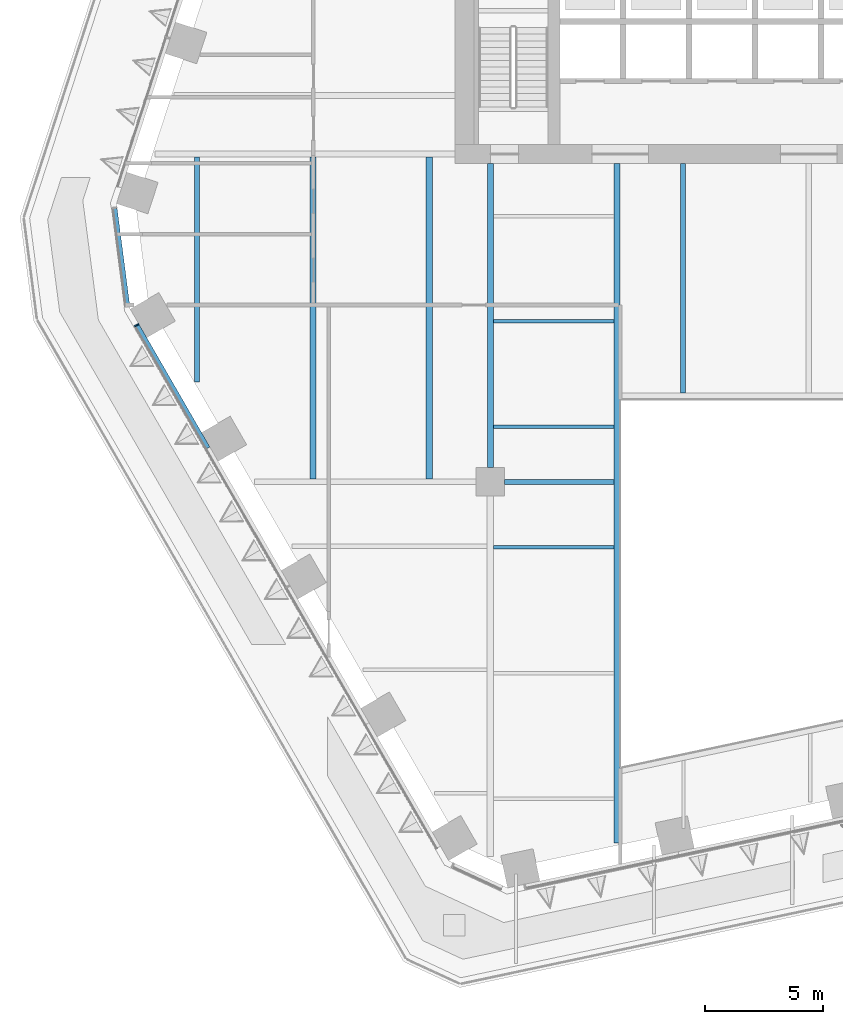
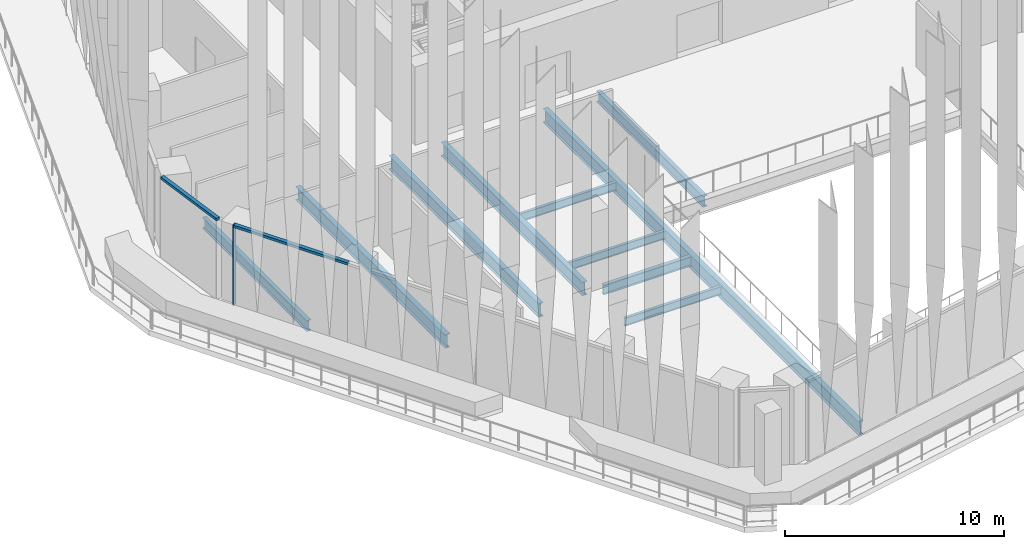
# One storey, part 3 of 27: 10 beams, 3 members, 2 elements without a shape of their own.
"""IFC4 building model written with IfcOpenShell, lengths in metres."""

from ifc_helpers import new_model, si_unit, direction, frame, origin, origin_2d, place, context, subcontext, project, spatial, rectangle, i_section, extrude, material, layer, layer_set, material_profile, profile_set, type_object, element, aggregate, save


model = new_model("IFC4")

# Units and contexts
model_context = context("Model", 3, precision=1e-05, world=origin(), true_north=direction((0.0, 1.0)))
body_context = subcontext(model_context, "Body", "Model", "MODEL_VIEW")
ifc_project = project(units=[si_unit("LENGTHUNIT", "METRE"), si_unit("AREAUNIT", "SQUARE_METRE"), si_unit("VOLUMEUNIT", "CUBIC_METRE"), si_unit("PLANEANGLEUNIT", "RADIAN"), si_unit("MASSUNIT", "GRAM", prefix="KILO")], contexts=[model_context])

# Site, building, storey
site_placement = place(None, origin())
site = spatial("IfcSite", under=ifc_project, at=site_placement, CompositionType="ELEMENT")
building_placement = place(site_placement, origin())
building = spatial("IfcBuilding", under=site, at=building_placement, Name="Isthmus Gate Tower", CompositionType="ELEMENT")
storey_placement = place(building_placement, frame((0.0, 0.0, 121.64990234375)))
storey = spatial("IfcBuildingStorey", under=building, at=storey_placement, Name="L29", CompositionType="ELEMENT", Elevation=121.64990234375)

# Curtain wall, member
ifc_material_1 = material(Name="Aluminium, pale champagne anodised", Category="aluminium")
ifc_layer = layer(ifc_material_1, 0.199951171875)
ifc_layer_set = layer_set([ifc_layer], Name="CW-1 UNITISED CURTAIN WALL 200 DEEP")
curtain_wall_type = type_object("IfcCurtainWallType", Name="CW-1 UNITISED CURTAIN WALL 200 DEEP", PredefinedType="NOTDEFINED", material=ifc_layer_set)
curtain_wall_1_placement = place(storey_placement, origin())
curtain_wall_1 = element("IfcCurtainWall", 1, at=curtain_wall_1_placement, inside=storey, type_object=curtain_wall_type, Name="CW-1 SW L29", PredefinedType="NOTDEFINED")
ifc_material_2 = material(Name="Aluminium, pale champagne anodised", Category="aluminium")
ifc_material_profile_1 = material_profile(ifc_material_2, rectangle(XDim=0.06005859375, YDim=0.199951171875, at=origin_2d()), Name="60x200")
ifc_profile_set_1 = profile_set([ifc_material_profile_1], Name="Aluminium, pale champagne anodised")
member_type_1 = type_object("IfcMemberType", Name="CW-1 MULLION 60 X 200", PredefinedType="MULLION", material=ifc_profile_set_1)
member_1_placement = place(storey_placement, frame((-28.489501953125, -6.8544921875, 0.0), z_axis=(0.0, 0.0, 1.0), x_axis=(0.5, -0.866025403784, 0.0)))
member_1 = element("IfcMember", 2, at=member_1_placement, type_object=member_type_1, Name="CW-1 mullion", PredefinedType="MULLION", context=body_context, shape_type="SweptSolid", body=[
    extrude(rectangle(XDim=0.06005859375, YDim=0.199951171875, at=origin_2d()), origin(), (0.0, 0.0, 1.0), 4.5),
])

curtain_wall_2_placement = place(storey_placement, origin())
curtain_wall_2 = element("IfcCurtainWall", 3, at=curtain_wall_2_placement, inside=storey, type_object=curtain_wall_type, Name="CW-1 NW-SW L29", PredefinedType="NOTDEFINED")
ifc_material_3 = material(Name="Aluminium, pale champagne anodised", Category="aluminium")
ifc_material_profile_2 = material_profile(ifc_material_3, rectangle(XDim=0.199951171875, YDim=0.139892578125, at=origin_2d()), Name="200x140")
ifc_profile_set_2 = profile_set([ifc_material_profile_2], Name="Aluminium, pale champagne anodised")
member_type_2 = type_object("IfcMemberType", Name="CW-1 TRANSOM 200 X 140", PredefinedType="USERDEFINED", material=ifc_profile_set_2)
member_2_placement = place(storey_placement, frame((-29.42333984375, -1.9150390625, 4.43017578125), z_axis=(0.129149481977, -0.991625136483, 0.0), x_axis=(0.991625136483, 0.129149481977, 0.0)))
member_2 = element("IfcMember", 4, at=member_2_placement, type_object=member_type_2, Name="CW-1 transom", ObjectType="TRANSOM", PredefinedType="USERDEFINED", context=body_context, shape_type="SweptSolid", body=[
    extrude(rectangle(XDim=0.199951171875, YDim=0.139892578125, at=origin_2d()), origin(), (0.0, 0.0, 1.0), 4.181396484375),
])
aggregate(curtain_wall_2, [member_2])

# Member
member_3_placement = place(storey_placement, frame((-28.474609375, -6.880615234375, 4.43017578125), z_axis=(0.500014106551, -0.86601725921, 0.0), x_axis=(0.86601725921, 0.500014106551, 0.0)))
member_3 = element("IfcMember", 5, at=member_3_placement, type_object=member_type_2, Name="CW-1 transom", ObjectType="TRANSOM", PredefinedType="USERDEFINED", context=body_context, shape_type="SweptSolid", body=[
    extrude(rectangle(XDim=0.199951171875, YDim=0.139892578125, at=origin_2d()), origin(), (0.0, 0.0, 1.0), 5.989990234375),
])

aggregate(curtain_wall_1, [member_1, member_3])

# Beams
ifc_material_4 = material(Name="Structural steel ASTM A992 Gr 50", Category="steel")
ifc_material_profile_3 = material_profile(ifc_material_4, i_section(OverallWidth=0.15234375, OverallDepth=0.45068359375, WebThickness=0.0078125, FlangeThickness=0.010986328125, at=origin_2d()), Name="W18X35")
ifc_profile_set_3 = profile_set([ifc_material_profile_3], Name="Structural steel ASTM A992 Gr 50")
beam_type_1 = type_object("IfcBeamType", Name="STEEL FLOOR BEAM W18X35", PredefinedType="JOIST", material=ifc_profile_set_3)
beam_1_placement = place(storey_placement, frame((-13.36669921875, -16.27197265625, -0.525390625), z_axis=(1.0, 0.0, 0.0), x_axis=(0.0, 1.0, 0.0)))
element("IfcBeam", 6, at=beam_1_placement, inside=storey, type_object=beam_type_1, Name="str-beam-L29-03-02", PredefinedType="JOIST", context=body_context, shape_type="SweptSolid", body=[
    extrude(i_section(OverallWidth=0.15234375, OverallDepth=0.45068359375, WebThickness=0.0078125, FlangeThickness=0.010986328125, at=origin_2d()), origin(), (0.0, 0.0, 1.0), 5.10009765625),
])
for number, where, z_axis, x_axis, name in (
    (7, (-13.3681640625, -11.16259765625, -0.525390625), (1.0, 0.0, 0.0), (0.0, 1.0, 0.0), "str-beam-L29-04-00"),
    (8, (-13.3681640625, -6.697509765625, -0.525390625), (1.0, 0.0, 0.0), (0.0, 1.0, 0.0), "str-beam-L29-04-01"),
):
    element("IfcBeam", number, at=place(storey_placement, frame(where, z_axis=z_axis, x_axis=x_axis)), inside=storey, type_object=beam_type_1, Name=name, PredefinedType="JOIST", context=body_context, shape_type="SweptSolid", body=[
        extrude(i_section(OverallWidth=0.15234375, OverallDepth=0.45068359375, WebThickness=0.0078125, FlangeThickness=0.010986328125, at=origin_2d()), origin(), (0.0, 0.0, 1.0), 5.1015625),
    ])
ifc_material_5 = material(Name="Structural steel ASTM A992 Gr 50", Category="steel")
ifc_material_profile_4 = material_profile(ifc_material_5, i_section(OverallWidth=0.228515625, OverallDepth=0.603271484375, WebThickness=0.010986328125, FlangeThickness=0.014404296875, at=origin_2d()), Name="W24X68")
ifc_profile_set_4 = profile_set([ifc_material_profile_4], Name="Structural steel ASTM A992 Gr 50")
beam_type_2 = type_object("IfcBeamType", Name="STEEL FLOOR BEAM W24X68", PredefinedType="JOIST", material=ifc_profile_set_4)
beam_2_placement = place(storey_placement, frame((-25.9365234375, -9.266845703125, -0.6015625), z_axis=(0.0, 1.0, 0.0), x_axis=(-1.0, 0.0, 0.0)))
element("IfcBeam", 9, at=beam_2_placement, inside=storey, type_object=beam_type_2, Name="str-beam-L29-00-00", PredefinedType="JOIST", context=body_context, shape_type="SweptSolid", body=[
    extrude(i_section(OverallWidth=0.228515625, OverallDepth=0.603271484375, WebThickness=0.010986328125, FlangeThickness=0.014404296875, at=origin_2d()), origin(), (0.0, 0.0, 1.0), 9.53515625),
])
beam_3_placement = place(storey_placement, frame((-5.333251953125, -9.7333984375, -0.6015625), z_axis=(0.0, 1.0, 0.0), x_axis=(-1.0, 0.0, 0.0)))
element("IfcBeam", 10, at=beam_3_placement, inside=storey, type_object=beam_type_2, Name="str-beam-L29-06-00", PredefinedType="JOIST", context=body_context, shape_type="SweptSolid", body=[
    extrude(i_section(OverallWidth=0.228515625, OverallDepth=0.603271484375, WebThickness=0.010986328125, FlangeThickness=0.014404296875, at=origin_2d()), origin(), (0.0, 0.0, 1.0), 9.7333984375),
])
ifc_material_6 = material(Name="Structural steel ASTM A992 Gr 50", Category="steel")
ifc_material_profile_5 = material_profile(ifc_material_6, i_section(OverallWidth=0.263427734375, OverallDepth=0.749267578125, WebThickness=0.0126953125, FlangeThickness=0.015869140625, at=origin_2d()), Name="W30X90")
ifc_profile_set_5 = profile_set([ifc_material_profile_5], Name="Structural steel ASTM A992 Gr 50")
beam_type_3 = type_object("IfcBeamType", Name="STEEL FLOOR BEAM W30X90", PredefinedType="JOIST", material=ifc_profile_set_5)
for number, where, z_axis, x_axis, name in (
    (11, (-21.0146484375, -13.3857421875, -0.674560546875), (0.0, 1.0, 0.0), (-1.0, 0.0, 0.0), "str-beam-L29-00-01"),
    (12, (-16.0927734375, -13.3857421875, -0.674560546875), (0.0, 1.0, 0.0), (-1.0, 0.0, 0.0), "str-beam-L29-00-02"),
):
    element("IfcBeam", number, at=place(storey_placement, frame(where, z_axis=z_axis, x_axis=x_axis)), inside=storey, type_object=beam_type_3, Name=name, PredefinedType="JOIST", context=body_context, shape_type="SweptSolid", body=[
        extrude(i_section(OverallWidth=0.263427734375, OverallDepth=0.749267578125, WebThickness=0.0126953125, FlangeThickness=0.015869140625, at=origin_2d()), origin(), (0.0, 0.0, 1.0), 13.654052734375),
    ])
ifc_material_7 = material(Name="Structural steel ASTM A992 Gr 50", Category="steel")
ifc_material_profile_6 = material_profile(ifc_material_7, i_section(OverallWidth=0.20947265625, OverallDepth=0.533447265625, WebThickness=0.009521484375, FlangeThickness=0.015869140625, at=origin_2d()), Name="W21X62")
ifc_profile_set_6 = profile_set([ifc_material_profile_6], Name="Structural steel ASTM A992 Gr 50")
beam_type_4 = type_object("IfcBeamType", Name="STEEL GIRDER W21X62", PredefinedType="BEAM", material=ifc_profile_set_6)
beam_4_placement = place(storey_placement, frame((-12.89990234375, -13.5, -0.566650390625), z_axis=(1.0, 0.0, 0.0), x_axis=(0.0, 1.0, 0.0)))
element("IfcBeam", 13, at=beam_4_placement, inside=storey, type_object=beam_type_4, Name="str-girder-L29-02", PredefinedType="BEAM", context=body_context, shape_type="SweptSolid", body=[
    extrude(i_section(OverallWidth=0.20947265625, OverallDepth=0.533447265625, WebThickness=0.009521484375, FlangeThickness=0.015869140625, at=origin_2d()), origin(), (0.0, 0.0, 1.0), 4.63330078125),
])
ifc_material_8 = material(Name="Structural steel ASTM A992 Gr 50", Category="steel")
ifc_material_profile_7 = material_profile(ifc_material_8, i_section(OverallWidth=0.263427734375, OverallDepth=0.749267578125, WebThickness=0.0126953125, FlangeThickness=0.015869140625, at=origin_2d()), Name="W30X90")
ifc_profile_set_7 = profile_set([ifc_material_profile_7], Name="Structural steel ASTM A992 Gr 50")
beam_type_5 = type_object("IfcBeamType", Name="STEEL GIRDER W30X90", PredefinedType="BEAM", material=ifc_profile_set_7)
beam_5_placement = place(storey_placement, frame((-13.5, -12.89990234375, -0.674560546875), z_axis=(0.0, 1.0, 0.0), x_axis=(-1.0, 0.0, 0.0)))
element("IfcBeam", 14, at=beam_5_placement, inside=storey, type_object=beam_type_5, Name="str-girder-L29-08", PredefinedType="BEAM", context=body_context, shape_type="SweptSolid", body=[
    extrude(i_section(OverallWidth=0.263427734375, OverallDepth=0.749267578125, WebThickness=0.0126953125, FlangeThickness=0.015869140625, at=origin_2d()), origin(), (0.0, 0.0, 1.0), 12.89990234375),
])
ifc_material_9 = material(Name="Structural steel ASTM A992 Gr 50", Category="steel")
ifc_material_profile_8 = material_profile(ifc_material_9, i_section(OverallWidth=0.2666015625, OverallDepth=0.7587890625, WebThickness=0.014404296875, FlangeThickness=0.01904296875, at=origin_2d()), Name="W30X108")
ifc_profile_set_8 = profile_set([ifc_material_profile_8], Name="Structural steel ASTM A992 Gr 50")
beam_type_6 = type_object("IfcBeamType", Name="STEEL TRIMMER W30X108", PredefinedType="BEAM", material=ifc_profile_set_8)
beam_6_placement = place(storey_placement, frame((-8.13330078125, 0.0, -0.67919921875), z_axis=(0.0, -1.0, 0.0), x_axis=(1.0, 0.0, 0.0)))
element("IfcBeam", 15, at=beam_6_placement, inside=storey, type_object=beam_type_6, Name="str-trimmer-L29-02", PredefinedType="BEAM", context=body_context, shape_type="SweptSolid", body=[
    extrude(i_section(OverallWidth=0.2666015625, OverallDepth=0.7587890625, WebThickness=0.014404296875, FlangeThickness=0.01904296875, at=origin_2d()), origin(), (0.0, 0.0, 1.0), 28.8037109375),
])

save(model, "model.ifc")
